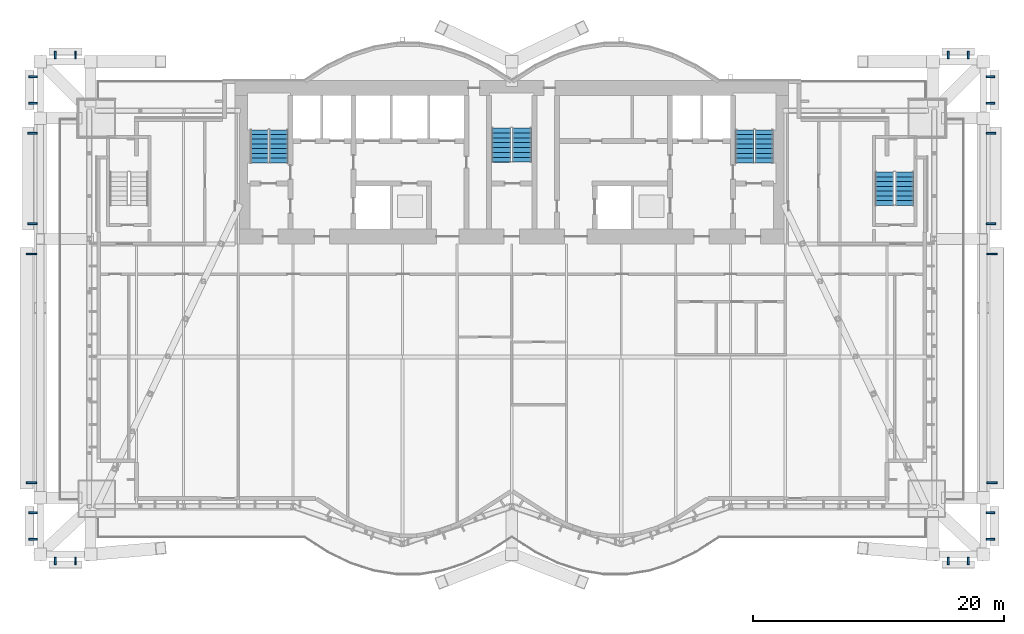
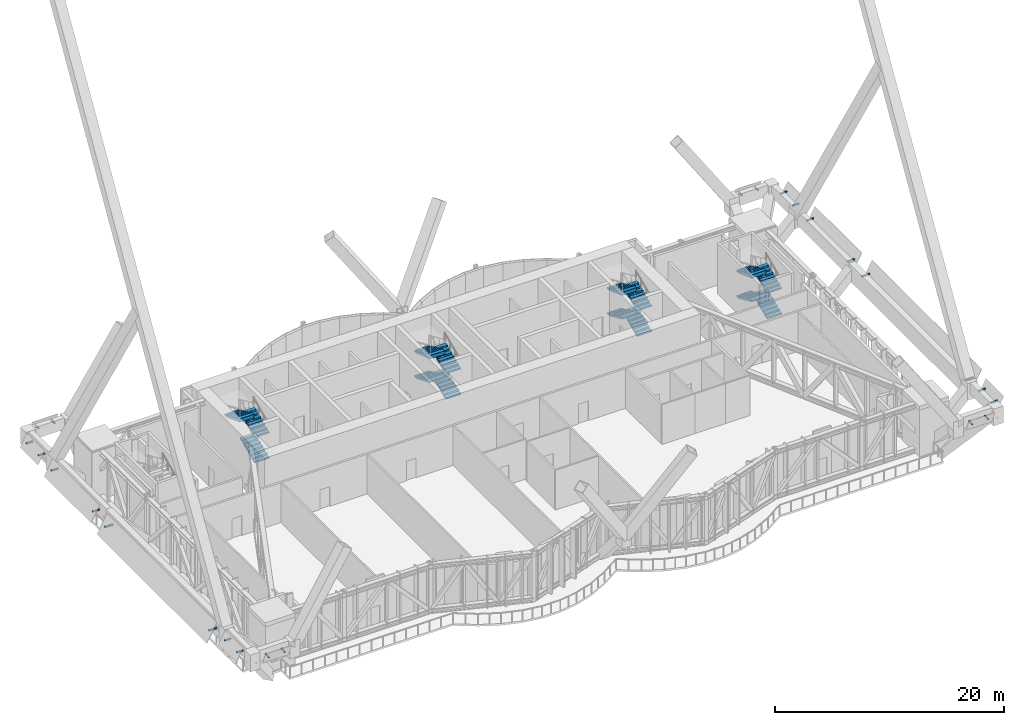
# One storey, part 28 of 32: 24 discrete accessories, 15 stair flights, 4 elements without a shape of their own.
"""IFC4 building model written with IfcOpenShell, lengths in metres."""

from ifc_helpers import new_model, si_unit, direction, frame, origin, origin_2d, place, context, subcontext, project, spatial, polyline, rectangle, outline, extrude, material, type_object, element, aggregate, save


model = new_model("IFC4")

# Units and contexts
model_context = context("Model", 3, precision=1e-05, world=origin(), true_north=direction((0.0, 1.0)))
body_context = subcontext(model_context, "Body", "Model", "MODEL_VIEW")
ifc_project = project(units=[si_unit("LENGTHUNIT", "METRE"), si_unit("AREAUNIT", "SQUARE_METRE"), si_unit("VOLUMEUNIT", "CUBIC_METRE"), si_unit("PLANEANGLEUNIT", "RADIAN"), si_unit("MASSUNIT", "GRAM", prefix="KILO")], contexts=[model_context])

# Site, building, storey
site_placement = place(None, origin())
site = spatial("IfcSite", under=ifc_project, at=site_placement, CompositionType="ELEMENT")
building_placement = place(site_placement, origin())
building = spatial("IfcBuilding", under=site, at=building_placement, Name="Bicima Exchange Tower", CompositionType="ELEMENT")
storey_placement = place(building_placement, frame((0.0, 0.0, 135.0)))
storey = spatial("IfcBuildingStorey", under=building, at=storey_placement, Name="L29", CompositionType="ELEMENT", Elevation=135.0)

# Stair, stair flights
ifc_material_1 = material(Name="Concrete C50/60", Category="concrete")
stair_type_1 = type_object("IfcStairType", Name="Exit stair", PredefinedType="HALF_TURN_STAIR", material=ifc_material_1)
stair_1_placement = place(storey_placement, origin())
stair_1 = element("IfcStair", 1, at=stair_1_placement, inside=storey, type_object=stair_type_1, Name="L29 West exit stair", PredefinedType="HALF_TURN_STAIR")
stair_flight_type_1 = type_object("IfcStairFlightType", Name="Stair flight RC", PredefinedType="STRAIGHT", material=ifc_material_1)
stair_flight_1_placement = place(storey_placement, frame((-18.52490234375, -6.550048828125, 0.0), z_axis=(0.0, 0.0, 1.0), x_axis=(0.0, 1.0, 0.0)))
stair_flight_1 = element("IfcStairFlight", 2, at=stair_flight_1_placement, type_object=stair_flight_type_1, Name="ST-W flight 1", NumberOfRisers=8, NumberOfTreads=7, PredefinedType="STRAIGHT", RiserHeight=0.16875, TreadLength=0.375714286, context=body_context, shape_type="SweptSolid", body=[
    extrude(outline(polyline([(0.0, 0.0), (0.0, 0.168701171875), (0.375732421875, 0.168701171875), (0.375732421875, 0.33740234375), (0.75146484375, 0.33740234375), (0.75146484375, 0.50634765625), (1.127197265625, 0.50634765625), (1.127197265625, 0.675048828125), (1.5029296875, 0.675048828125), (1.5029296875, 0.84375), (1.878662109375, 0.84375), (1.878662109375, 1.012451171875), (2.25439453125, 1.012451171875), (2.25439453125, 1.18115234375), (2.6298828125, 1.18115234375), (2.6298828125, 1.35009765625), (2.6298828125, 1.016845703125), (0.365966796875, 0.0), (0.0, 0.0)])), frame((0.0, 0.72509765625, 0.0), z_axis=(0.0, -1.0, 0.0), x_axis=(1.0, 0.0, 0.0)), (0.0, 0.0, 1.0), 1.449951171875),
])
stair_flight_2_placement = place(storey_placement, frame((-18.52490234375, -6.550048828125, 2.699951171875), z_axis=(0.0, 0.0, 1.0), x_axis=(0.0, 1.0, 0.0)))
stair_flight_2 = element("IfcStairFlight", 3, at=stair_flight_2_placement, type_object=stair_flight_type_1, Name="ST-W flight 3", NumberOfRisers=8, NumberOfTreads=7, PredefinedType="STRAIGHT", RiserHeight=0.16875, TreadLength=0.375714286, context=body_context, shape_type="SweptSolid", body=[
    extrude(outline(polyline([(0.0, 0.0), (0.0, 0.168701171875), (0.375732421875, 0.168701171875), (0.375732421875, 0.33740234375), (0.75146484375, 0.33740234375), (0.75146484375, 0.50634765625), (1.127197265625, 0.50634765625), (1.127197265625, 0.675048828125), (1.5029296875, 0.675048828125), (1.5029296875, 0.84375), (1.878662109375, 0.84375), (1.878662109375, 1.012451171875), (2.25439453125, 1.012451171875), (2.25439453125, 1.18115234375), (2.6298828125, 1.18115234375), (2.6298828125, 1.35009765625), (2.6298828125, 1.016845703125), (0.365966796875, 0.0), (0.0, 0.0)])), frame((0.0, 0.72509765625, 0.0), z_axis=(0.0, -1.0, 0.0), x_axis=(1.0, 0.0, 0.0)), (0.0, 0.0, 1.0), 1.449951171875),
])
stair_flight_3_placement = place(storey_placement, frame((-20.074951171875, -3.919921875, 4.050048828125), z_axis=(0.0, 0.0, 1.0), x_axis=(0.0, -1.0, 0.0)))
stair_flight_3 = element("IfcStairFlight", 4, at=stair_flight_3_placement, type_object=stair_flight_type_1, Name="ST-W flight 4", NumberOfRisers=8, NumberOfTreads=7, PredefinedType="STRAIGHT", RiserHeight=0.16875, TreadLength=0.375714286, context=body_context, shape_type="SweptSolid", body=[
    extrude(outline(polyline([(0.0, 0.0), (0.0, 0.168701171875), (0.375732421875, 0.168701171875), (0.375732421875, 0.33740234375), (0.75146484375, 0.33740234375), (0.75146484375, 0.50634765625), (1.127197265625, 0.50634765625), (1.127197265625, 0.675048828125), (1.5029296875, 0.675048828125), (1.5029296875, 0.84375), (1.878662109375, 0.84375), (1.878662109375, 1.012451171875), (2.25439453125, 1.012451171875), (2.25439453125, 1.18115234375), (2.6298828125, 1.18115234375), (2.6298828125, 1.2041015625), (2.64501953125, 1.2041015625), (2.64501953125, 0.85498046875), (0.365966796875, 0.0), (0.0, 0.0)])), frame((0.0, 0.72509765625, 0.0), z_axis=(0.0, -1.0, 0.0), x_axis=(1.0, 0.0, 0.0)), (0.0, 0.0, 1.0), 1.449951171875),
])
aggregate(stair_1, [stair_flight_1, stair_flight_2, stair_flight_3])

stair_2_placement = place(storey_placement, origin())
stair_2 = element("IfcStair", 5, at=stair_2_placement, inside=storey, type_object=stair_type_1, Name="L29 East exit stair", PredefinedType="HALF_TURN_STAIR")
stair_flight_4_placement = place(storey_placement, frame((20.074951171875, -6.550048828125, 0.0), z_axis=(0.0, 0.0, 1.0), x_axis=(0.0, 1.0, 0.0)))
stair_flight_4 = element("IfcStairFlight", 6, at=stair_flight_4_placement, type_object=stair_flight_type_1, Name="ST-E flight 1", NumberOfRisers=8, NumberOfTreads=7, PredefinedType="STRAIGHT", RiserHeight=0.16875, TreadLength=0.375714286, context=body_context, shape_type="SweptSolid", body=[
    extrude(outline(polyline([(0.0, 0.0), (0.0, 0.168701171875), (0.375732421875, 0.168701171875), (0.375732421875, 0.33740234375), (0.75146484375, 0.33740234375), (0.75146484375, 0.50634765625), (1.127197265625, 0.50634765625), (1.127197265625, 0.675048828125), (1.5029296875, 0.675048828125), (1.5029296875, 0.84375), (1.878662109375, 0.84375), (1.878662109375, 1.012451171875), (2.25439453125, 1.012451171875), (2.25439453125, 1.18115234375), (2.6298828125, 1.18115234375), (2.6298828125, 1.35009765625), (2.6298828125, 1.016845703125), (0.365966796875, 0.0), (0.0, 0.0)])), frame((0.0, 0.72509765625, 0.0), z_axis=(0.0, -1.0, 0.0), x_axis=(1.0, 0.0, 0.0)), (0.0, 0.0, 1.0), 1.449951171875),
])
stair_flight_5_placement = place(storey_placement, frame((18.52490234375, -3.919921875, 1.35009765625), z_axis=(0.0, 0.0, 1.0), x_axis=(0.0, -1.0, 0.0)))
stair_flight_5 = element("IfcStairFlight", 7, at=stair_flight_5_placement, type_object=stair_flight_type_1, Name="ST-E flight 2", NumberOfRisers=8, NumberOfTreads=7, PredefinedType="STRAIGHT", RiserHeight=0.16875, TreadLength=0.375714286, context=body_context, shape_type="SweptSolid", body=[
    extrude(outline(polyline([(0.0, 0.0), (0.0, 0.168701171875), (0.375732421875, 0.168701171875), (0.375732421875, 0.33740234375), (0.75146484375, 0.33740234375), (0.75146484375, 0.50634765625), (1.127197265625, 0.50634765625), (1.127197265625, 0.675048828125), (1.5029296875, 0.675048828125), (1.5029296875, 0.84375), (1.878662109375, 0.84375), (1.878662109375, 1.012451171875), (2.25439453125, 1.012451171875), (2.25439453125, 1.18115234375), (2.6298828125, 1.18115234375), (2.6298828125, 1.35009765625), (2.6298828125, 1.016845703125), (0.365966796875, 0.0), (0.0, 0.0)])), frame((0.0, 0.72509765625, 0.0), z_axis=(0.0, -1.0, 0.0), x_axis=(1.0, 0.0, 0.0)), (0.0, 0.0, 1.0), 1.449951171875),
])
stair_flight_6_placement = place(storey_placement, frame((20.074951171875, -6.550048828125, 2.699951171875), z_axis=(0.0, 0.0, 1.0), x_axis=(0.0, 1.0, 0.0)))
stair_flight_6 = element("IfcStairFlight", 8, at=stair_flight_6_placement, type_object=stair_flight_type_1, Name="ST-E flight 3", NumberOfRisers=8, NumberOfTreads=7, PredefinedType="STRAIGHT", RiserHeight=0.16875, TreadLength=0.375714286, context=body_context, shape_type="SweptSolid", body=[
    extrude(outline(polyline([(0.0, 0.0), (0.0, 0.168701171875), (0.375732421875, 0.168701171875), (0.375732421875, 0.33740234375), (0.75146484375, 0.33740234375), (0.75146484375, 0.50634765625), (1.127197265625, 0.50634765625), (1.127197265625, 0.675048828125), (1.5029296875, 0.675048828125), (1.5029296875, 0.84375), (1.878662109375, 0.84375), (1.878662109375, 1.012451171875), (2.25439453125, 1.012451171875), (2.25439453125, 1.18115234375), (2.6298828125, 1.18115234375), (2.6298828125, 1.35009765625), (2.6298828125, 1.016845703125), (0.365966796875, 0.0), (0.0, 0.0)])), frame((0.0, 0.72509765625, 0.0), z_axis=(0.0, -1.0, 0.0), x_axis=(1.0, 0.0, 0.0)), (0.0, 0.0, 1.0), 1.449951171875),
])
stair_flight_7_placement = place(storey_placement, frame((18.52490234375, -3.919921875, 4.050048828125), z_axis=(0.0, 0.0, 1.0), x_axis=(0.0, -1.0, 0.0)))
stair_flight_7 = element("IfcStairFlight", 9, at=stair_flight_7_placement, type_object=stair_flight_type_1, Name="ST-E flight 4", NumberOfRisers=8, NumberOfTreads=7, PredefinedType="STRAIGHT", RiserHeight=0.16875, TreadLength=0.375714286, context=body_context, shape_type="SweptSolid", body=[
    extrude(outline(polyline([(0.0, 0.0), (0.0, 0.168701171875), (0.375732421875, 0.168701171875), (0.375732421875, 0.33740234375), (0.75146484375, 0.33740234375), (0.75146484375, 0.50634765625), (1.127197265625, 0.50634765625), (1.127197265625, 0.675048828125), (1.5029296875, 0.675048828125), (1.5029296875, 0.84375), (1.878662109375, 0.84375), (1.878662109375, 1.012451171875), (2.25439453125, 1.012451171875), (2.25439453125, 1.18115234375), (2.6298828125, 1.18115234375), (2.6298828125, 1.2041015625), (2.64501953125, 1.2041015625), (2.64501953125, 0.85498046875), (0.365966796875, 0.0), (0.0, 0.0)])), frame((0.0, 0.72509765625, 0.0), z_axis=(0.0, -1.0, 0.0), x_axis=(1.0, 0.0, 0.0)), (0.0, 0.0, 1.0), 1.449951171875),
])
aggregate(stair_2, [stair_flight_4, stair_flight_5, stair_flight_6, stair_flight_7])

stair_3_placement = place(storey_placement, origin())
stair_3 = element("IfcStair", 10, at=stair_3_placement, inside=storey, type_object=stair_type_1, Name="L29 East end exit stair", PredefinedType="HALF_TURN_STAIR")
stair_flight_8_placement = place(storey_placement, frame((31.25, -9.925048828125, 0.0), z_axis=(0.0, 0.0, 1.0), x_axis=(0.0, 1.0, 0.0)))
stair_flight_8 = element("IfcStairFlight", 11, at=stair_flight_8_placement, type_object=stair_flight_type_1, Name="ST-EE flight 1", NumberOfRisers=8, NumberOfTreads=7, PredefinedType="STRAIGHT", RiserHeight=0.16875, TreadLength=0.375714286, context=body_context, shape_type="SweptSolid", body=[
    extrude(outline(polyline([(0.0, 0.0), (0.0, 0.168701171875), (0.375732421875, 0.168701171875), (0.375732421875, 0.33740234375), (0.75146484375, 0.33740234375), (0.75146484375, 0.50634765625), (1.127197265625, 0.50634765625), (1.127197265625, 0.675048828125), (1.5029296875, 0.675048828125), (1.5029296875, 0.84375), (1.878662109375, 0.84375), (1.878662109375, 1.012451171875), (2.25439453125, 1.012451171875), (2.25439453125, 1.18115234375), (2.6298828125, 1.18115234375), (2.6298828125, 1.35009765625), (2.6298828125, 1.016845703125), (0.365966796875, 0.0), (0.0, 0.0)])), frame((0.0, 0.72509765625, 0.0), z_axis=(0.0, -1.0, 0.0), x_axis=(1.0, 0.0, 0.0)), (0.0, 0.0, 1.0), 1.449951171875),
])
stair_flight_9_placement = place(storey_placement, frame((29.64990234375, -7.294921875, 1.35009765625), z_axis=(0.0, 0.0, 1.0), x_axis=(0.0, -1.0, 0.0)))
stair_flight_9 = element("IfcStairFlight", 12, at=stair_flight_9_placement, type_object=stair_flight_type_1, Name="ST-EE flight 2", NumberOfRisers=8, NumberOfTreads=7, PredefinedType="STRAIGHT", RiserHeight=0.16875, TreadLength=0.375714286, context=body_context, shape_type="SweptSolid", body=[
    extrude(outline(polyline([(0.0, 0.0), (0.0, 0.168701171875), (0.375732421875, 0.168701171875), (0.375732421875, 0.33740234375), (0.75146484375, 0.33740234375), (0.75146484375, 0.50634765625), (1.127197265625, 0.50634765625), (1.127197265625, 0.675048828125), (1.5029296875, 0.675048828125), (1.5029296875, 0.84375), (1.878662109375, 0.84375), (1.878662109375, 1.012451171875), (2.25439453125, 1.012451171875), (2.25439453125, 1.18115234375), (2.6298828125, 1.18115234375), (2.6298828125, 1.35009765625), (2.6298828125, 1.016845703125), (0.365966796875, 0.0), (0.0, 0.0)])), frame((0.0, 0.72509765625, 0.0), z_axis=(0.0, -1.0, 0.0), x_axis=(1.0, 0.0, 0.0)), (0.0, 0.0, 1.0), 1.449951171875),
])
stair_flight_10_placement = place(storey_placement, frame((31.25, -9.925048828125, 2.699951171875), z_axis=(0.0, 0.0, 1.0), x_axis=(0.0, 1.0, 0.0)))
stair_flight_10 = element("IfcStairFlight", 13, at=stair_flight_10_placement, type_object=stair_flight_type_1, Name="ST-EE flight 3", NumberOfRisers=8, NumberOfTreads=7, PredefinedType="STRAIGHT", RiserHeight=0.16875, TreadLength=0.375714286, context=body_context, shape_type="SweptSolid", body=[
    extrude(outline(polyline([(0.0, 0.0), (0.0, 0.168701171875), (0.375732421875, 0.168701171875), (0.375732421875, 0.33740234375), (0.75146484375, 0.33740234375), (0.75146484375, 0.50634765625), (1.127197265625, 0.50634765625), (1.127197265625, 0.675048828125), (1.5029296875, 0.675048828125), (1.5029296875, 0.84375), (1.878662109375, 0.84375), (1.878662109375, 1.012451171875), (2.25439453125, 1.012451171875), (2.25439453125, 1.18115234375), (2.6298828125, 1.18115234375), (2.6298828125, 1.35009765625), (2.6298828125, 1.016845703125), (0.365966796875, 0.0), (0.0, 0.0)])), frame((0.0, 0.72509765625, 0.0), z_axis=(0.0, -1.0, 0.0), x_axis=(1.0, 0.0, 0.0)), (0.0, 0.0, 1.0), 1.449951171875),
])
stair_flight_11_placement = place(storey_placement, frame((29.64990234375, -7.294921875, 4.050048828125), z_axis=(0.0, 0.0, 1.0), x_axis=(0.0, -1.0, 0.0)))
stair_flight_11 = element("IfcStairFlight", 14, at=stair_flight_11_placement, type_object=stair_flight_type_1, Name="ST-EE flight 4", NumberOfRisers=8, NumberOfTreads=7, PredefinedType="STRAIGHT", RiserHeight=0.16875, TreadLength=0.375714286, context=body_context, shape_type="SweptSolid", body=[
    extrude(outline(polyline([(0.0, 0.0), (0.0, 0.168701171875), (0.375732421875, 0.168701171875), (0.375732421875, 0.33740234375), (0.75146484375, 0.33740234375), (0.75146484375, 0.50634765625), (1.127197265625, 0.50634765625), (1.127197265625, 0.675048828125), (1.5029296875, 0.675048828125), (1.5029296875, 0.84375), (1.878662109375, 0.84375), (1.878662109375, 1.012451171875), (2.25439453125, 1.012451171875), (2.25439453125, 1.18115234375), (2.6298828125, 1.18115234375), (2.6298828125, 1.2041015625), (2.64501953125, 1.2041015625), (2.64501953125, 0.85498046875), (0.365966796875, 0.0), (0.0, 0.0)])), frame((0.0, 0.72509765625, 0.0), z_axis=(0.0, -1.0, 0.0), x_axis=(1.0, 0.0, 0.0)), (0.0, 0.0, 1.0), 1.449951171875),
])
aggregate(stair_3, [stair_flight_8, stair_flight_9, stair_flight_10, stair_flight_11])

stair_type_2 = type_object("IfcStairType", Name="Exit stair 1500", PredefinedType="HALF_TURN_STAIR", material=ifc_material_1)
stair_4_placement = place(storey_placement, origin())
stair_4 = element("IfcStair", 15, at=stair_4_placement, inside=storey, type_object=stair_type_2, Name="L29 Central exit stair", PredefinedType="HALF_TURN_STAIR")
stair_flight_type_2 = type_object("IfcStairFlightType", Name="Stair flight RC 1500", PredefinedType="STRAIGHT", material=ifc_material_1)
stair_flight_12_placement = place(storey_placement, frame((0.824951171875, -6.5, 0.0), z_axis=(0.0, 0.0, 1.0), x_axis=(0.0, 1.0, 0.0)))
stair_flight_12 = element("IfcStairFlight", 16, at=stair_flight_12_placement, type_object=stair_flight_type_2, Name="ST-C flight 1", NumberOfRisers=8, NumberOfTreads=7, PredefinedType="STRAIGHT", RiserHeight=0.16875, TreadLength=0.388571429, context=body_context, shape_type="SweptSolid", body=[
    extrude(outline(polyline([(0.0, 0.0), (0.0, 0.168701171875), (0.388671875, 0.168701171875), (0.388671875, 0.33740234375), (0.777099609375, 0.33740234375), (0.777099609375, 0.50634765625), (1.165771484375, 0.50634765625), (1.165771484375, 0.675048828125), (1.55419921875, 0.675048828125), (1.55419921875, 0.84375), (1.94287109375, 0.84375), (1.94287109375, 1.012451171875), (2.33154296875, 1.012451171875), (2.33154296875, 1.18115234375), (2.719970703125, 1.18115234375), (2.719970703125, 1.35009765625), (2.719970703125, 1.017822265625), (0.376220703125, 0.0), (0.0, 0.0)])), frame((0.0, 0.75, 0.0), z_axis=(0.0, -1.0, 0.0), x_axis=(1.0, 0.0, 0.0)), (0.0, 0.0, 1.0), 1.5),
])
stair_flight_13_placement = place(storey_placement, frame((-0.824951171875, -3.780029296875, 1.35009765625), z_axis=(0.0, 0.0, 1.0), x_axis=(0.0, -1.0, 0.0)))
stair_flight_13 = element("IfcStairFlight", 17, at=stair_flight_13_placement, type_object=stair_flight_type_2, Name="ST-C flight 2", NumberOfRisers=8, NumberOfTreads=7, PredefinedType="STRAIGHT", RiserHeight=0.16875, TreadLength=0.388571429, context=body_context, shape_type="SweptSolid", body=[
    extrude(outline(polyline([(0.0, 0.0), (0.0, 0.168701171875), (0.388671875, 0.168701171875), (0.388671875, 0.33740234375), (0.777099609375, 0.33740234375), (0.777099609375, 0.50634765625), (1.165771484375, 0.50634765625), (1.165771484375, 0.675048828125), (1.55419921875, 0.675048828125), (1.55419921875, 0.84375), (1.94287109375, 0.84375), (1.94287109375, 1.012451171875), (2.33154296875, 1.012451171875), (2.33154296875, 1.18115234375), (2.719970703125, 1.18115234375), (2.719970703125, 1.35009765625), (2.719970703125, 1.017822265625), (0.376220703125, 0.0), (0.0, 0.0)])), frame((0.0, 0.75, 0.0), z_axis=(0.0, -1.0, 0.0), x_axis=(1.0, 0.0, 0.0)), (0.0, 0.0, 1.0), 1.5),
])
stair_flight_14_placement = place(storey_placement, frame((0.824951171875, -6.5, 2.699951171875), z_axis=(0.0, 0.0, 1.0), x_axis=(0.0, 1.0, 0.0)))
stair_flight_14 = element("IfcStairFlight", 18, at=stair_flight_14_placement, type_object=stair_flight_type_2, Name="ST-C flight 3", NumberOfRisers=8, NumberOfTreads=7, PredefinedType="STRAIGHT", RiserHeight=0.16875, TreadLength=0.388571429, context=body_context, shape_type="SweptSolid", body=[
    extrude(outline(polyline([(0.0, 0.0), (0.0, 0.168701171875), (0.388671875, 0.168701171875), (0.388671875, 0.33740234375), (0.777099609375, 0.33740234375), (0.777099609375, 0.50634765625), (1.165771484375, 0.50634765625), (1.165771484375, 0.675048828125), (1.55419921875, 0.675048828125), (1.55419921875, 0.84375), (1.94287109375, 0.84375), (1.94287109375, 1.012451171875), (2.33154296875, 1.012451171875), (2.33154296875, 1.18115234375), (2.719970703125, 1.18115234375), (2.719970703125, 1.35009765625), (2.719970703125, 1.017822265625), (0.376220703125, 0.0), (0.0, 0.0)])), frame((0.0, 0.75, 0.0), z_axis=(0.0, -1.0, 0.0), x_axis=(1.0, 0.0, 0.0)), (0.0, 0.0, 1.0), 1.5),
])
stair_flight_15_placement = place(storey_placement, frame((-0.824951171875, -3.780029296875, 4.050048828125), z_axis=(0.0, 0.0, 1.0), x_axis=(0.0, -1.0, 0.0)))
stair_flight_15 = element("IfcStairFlight", 19, at=stair_flight_15_placement, type_object=stair_flight_type_2, Name="ST-C flight 4", NumberOfRisers=8, NumberOfTreads=7, PredefinedType="STRAIGHT", RiserHeight=0.16875, TreadLength=0.388571429, context=body_context, shape_type="SweptSolid", body=[
    extrude(outline(polyline([(0.0, 0.0), (0.0, 0.168701171875), (0.388671875, 0.168701171875), (0.388671875, 0.33740234375), (0.777099609375, 0.33740234375), (0.777099609375, 0.50634765625), (1.165771484375, 0.50634765625), (1.165771484375, 0.675048828125), (1.55419921875, 0.675048828125), (1.55419921875, 0.84375), (1.94287109375, 0.84375), (1.94287109375, 1.012451171875), (2.33154296875, 1.012451171875), (2.33154296875, 1.18115234375), (2.719970703125, 1.18115234375), (2.719970703125, 1.2041015625), (2.735107421875, 1.2041015625), (2.735107421875, 0.85546875), (0.376220703125, 0.0), (0.0, 0.0)])), frame((0.0, 0.75, 0.0), z_axis=(0.0, -1.0, 0.0), x_axis=(1.0, 0.0, 0.0)), (0.0, 0.0, 1.0), 1.5),
])
aggregate(stair_4, [stair_flight_12, stair_flight_13, stair_flight_14, stair_flight_15])

# Discrete accessories
ifc_material_2 = material(Name="Steel ASTM A572 Gr 50", Category="steel")
discrete_accessory_type = type_object("IfcDiscreteAccessoryType", Name="Belt fascia bracket", PredefinedType="BRACKET", material=ifc_material_2)
for number, where, z_axis, x_axis, name in (
    (20, (-36.300048828125, -38.211181640625, 4.574951171875), (0.0, 0.0, 1.0), (1.0, 0.0, 0.0), "Belt fascia bracket"),
    (21, (-34.699951171875, -38.211181640625, 4.574951171875), (0.0, 0.0, 1.0), (1.0, 0.0, 0.0), "Belt fascia bracket"),
    (22, (34.699951171875, -38.211181640625, 4.574951171875), (0.0, 0.0, 1.0), (1.0, 0.0, 0.0), "Belt fascia bracket"),
    (23, (36.300048828125, -38.211181640625, 4.574951171875), (0.0, 0.0, 1.0), (1.0, 0.0, 0.0), "Belt fascia bracket"),
):
    element("IfcDiscreteAccessory", number, at=place(storey_placement, frame(where, z_axis=z_axis, x_axis=x_axis)), inside=storey, type_object=discrete_accessory_type, Name=name, PredefinedType="BRACKET", context=body_context, shape_type="SweptSolid", body=[
        extrude(rectangle(XDim=0.14990234375, YDim=0.59326171875, at=origin_2d()), origin(), (0.0, 0.0, 1.0), 0.14990234375),
    ])
for number, where, z_axis, x_axis, name in (
    (24, (38.065673828125, -36.484619140625, 4.574951171875), (0.0, 0.0, 1.0), (0.0, 1.0, 0.0), "Belt fascia bracket"),
    (25, (38.065673828125, -34.384765625, 4.574951171875), (0.0, 0.0, 1.0), (0.0, 1.0, 0.0), "Belt fascia bracket"),
):
    element("IfcDiscreteAccessory", number, at=place(storey_placement, frame(where, z_axis=z_axis, x_axis=x_axis)), inside=storey, type_object=discrete_accessory_type, Name=name, PredefinedType="BRACKET", context=body_context, shape_type="SweptSolid", body=[
        extrude(rectangle(XDim=0.14990234375, YDim=0.671142578125, at=origin_2d()), origin(), (0.0, 0.0, 1.0), 0.14990234375),
    ])
for number, where, z_axis, x_axis, name in (
    (26, (38.197998046875, -31.984619140625, 4.275146484375), (0.0, 0.0, 1.0), (0.0, 1.0, 0.0), "Belt fascia bracket"),
    (27, (38.197998046875, -13.800048828125, 4.275146484375), (0.0, 0.0, 1.0), (0.0, 1.0, 0.0), "Belt fascia bracket"),
):
    element("IfcDiscreteAccessory", number, at=place(storey_placement, frame(where, z_axis=z_axis, x_axis=x_axis)), inside=storey, type_object=discrete_accessory_type, Name=name, PredefinedType="BRACKET", context=body_context, shape_type="SweptSolid", body=[
        extrude(rectangle(XDim=0.14990234375, YDim=0.8359375, at=origin_2d()), origin(), (0.0, 0.0, 1.0), 0.14990234375),
    ])
for number, where, z_axis, x_axis, name in (
    (28, (38.106689453125, -11.39990234375, 4.425048828125), (0.0, 0.0, 1.0), (0.0, 1.0, 0.0), "Belt fascia bracket"),
    (29, (38.106689453125, -4.199951171875, 4.425048828125), (0.0, 0.0, 1.0), (0.0, 1.0, 0.0), "Belt fascia bracket"),
):
    element("IfcDiscreteAccessory", number, at=place(storey_placement, frame(where, z_axis=z_axis, x_axis=x_axis)), inside=storey, type_object=discrete_accessory_type, Name=name, PredefinedType="BRACKET", context=body_context, shape_type="SweptSolid", body=[
        extrude(rectangle(XDim=0.14990234375, YDim=0.75341796875, at=origin_2d()), origin(), (0.0, 0.0, 1.0), 0.14990234375),
    ])
for number, where, z_axis, x_axis, name in (
    (30, (38.065673828125, -1.800048828125, 4.574951171875), (0.0, 0.0, 1.0), (0.0, 1.0, 0.0), "Belt fascia bracket"),
    (31, (38.065673828125, 0.300048828125, 4.574951171875), (0.0, 0.0, 1.0), (0.0, 1.0, 0.0), "Belt fascia bracket"),
):
    element("IfcDiscreteAccessory", number, at=place(storey_placement, frame(where, z_axis=z_axis, x_axis=x_axis)), inside=storey, type_object=discrete_accessory_type, Name=name, PredefinedType="BRACKET", context=body_context, shape_type="SweptSolid", body=[
        extrude(rectangle(XDim=0.14990234375, YDim=0.671142578125, at=origin_2d()), origin(), (0.0, 0.0, 1.0), 0.14990234375),
    ])
for number, where, z_axis, x_axis, name in (
    (32, (36.300048828125, 2.026611328125, 4.574951171875), (0.0, 0.0, 1.0), (-1.0, 0.0, 0.0), "Belt fascia bracket"),
    (33, (34.699951171875, 2.026611328125, 4.574951171875), (0.0, 0.0, 1.0), (-1.0, 0.0, 0.0), "Belt fascia bracket"),
    (34, (-34.699951171875, 2.026611328125, 4.574951171875), (0.0, 0.0, 1.0), (-1.0, 0.0, 0.0), "Belt fascia bracket"),
    (35, (-36.300048828125, 2.026611328125, 4.574951171875), (0.0, 0.0, 1.0), (-1.0, 0.0, 0.0), "Belt fascia bracket"),
):
    element("IfcDiscreteAccessory", number, at=place(storey_placement, frame(where, z_axis=z_axis, x_axis=x_axis)), inside=storey, type_object=discrete_accessory_type, Name=name, PredefinedType="BRACKET", context=body_context, shape_type="SweptSolid", body=[
        extrude(rectangle(XDim=0.14990234375, YDim=0.59326171875, at=origin_2d()), origin(), (0.0, 0.0, 1.0), 0.14990234375),
    ])
for number, where, z_axis, x_axis, name in (
    (36, (-38.065673828125, 0.300048828125, 4.574951171875), (0.0, 0.0, 1.0), (0.0, -1.0, 0.0), "Belt fascia bracket"),
    (37, (-38.065673828125, -1.800048828125, 4.574951171875), (0.0, 0.0, 1.0), (0.0, -1.0, 0.0), "Belt fascia bracket"),
):
    element("IfcDiscreteAccessory", number, at=place(storey_placement, frame(where, z_axis=z_axis, x_axis=x_axis)), inside=storey, type_object=discrete_accessory_type, Name=name, PredefinedType="BRACKET", context=body_context, shape_type="SweptSolid", body=[
        extrude(rectangle(XDim=0.14990234375, YDim=0.671142578125, at=origin_2d()), origin(), (0.0, 0.0, 1.0), 0.14990234375),
    ])
for number, where, z_axis, x_axis, name in (
    (38, (-38.106689453125, -4.199951171875, 4.425048828125), (0.0, 0.0, 1.0), (0.0, -1.0, 0.0), "Belt fascia bracket"),
    (39, (-38.106689453125, -11.39990234375, 4.425048828125), (0.0, 0.0, 1.0), (0.0, -1.0, 0.0), "Belt fascia bracket"),
):
    element("IfcDiscreteAccessory", number, at=place(storey_placement, frame(where, z_axis=z_axis, x_axis=x_axis)), inside=storey, type_object=discrete_accessory_type, Name=name, PredefinedType="BRACKET", context=body_context, shape_type="SweptSolid", body=[
        extrude(rectangle(XDim=0.14990234375, YDim=0.75341796875, at=origin_2d()), origin(), (0.0, 0.0, 1.0), 0.14990234375),
    ])
for number, where, z_axis, x_axis, name in (
    (40, (-38.197998046875, -13.800048828125, 4.275146484375), (0.0, 0.0, 1.0), (0.0, -1.0, 0.0), "Belt fascia bracket"),
    (41, (-38.197998046875, -31.984619140625, 4.275146484375), (0.0, 0.0, 1.0), (0.0, -1.0, 0.0), "Belt fascia bracket"),
):
    element("IfcDiscreteAccessory", number, at=place(storey_placement, frame(where, z_axis=z_axis, x_axis=x_axis)), inside=storey, type_object=discrete_accessory_type, Name=name, PredefinedType="BRACKET", context=body_context, shape_type="SweptSolid", body=[
        extrude(rectangle(XDim=0.14990234375, YDim=0.8359375, at=origin_2d()), origin(), (0.0, 0.0, 1.0), 0.14990234375),
    ])
for number, where, z_axis, x_axis, name in (
    (42, (-38.065673828125, -34.384765625, 4.574951171875), (0.0, 0.0, 1.0), (0.0, -1.0, 0.0), "Belt fascia bracket"),
    (43, (-38.065673828125, -36.484619140625, 4.574951171875), (0.0, 0.0, 1.0), (0.0, -1.0, 0.0), "Belt fascia bracket"),
):
    element("IfcDiscreteAccessory", number, at=place(storey_placement, frame(where, z_axis=z_axis, x_axis=x_axis)), inside=storey, type_object=discrete_accessory_type, Name=name, PredefinedType="BRACKET", context=body_context, shape_type="SweptSolid", body=[
        extrude(rectangle(XDim=0.14990234375, YDim=0.671142578125, at=origin_2d()), origin(), (0.0, 0.0, 1.0), 0.14990234375),
    ])

save(model, "model.ifc")
